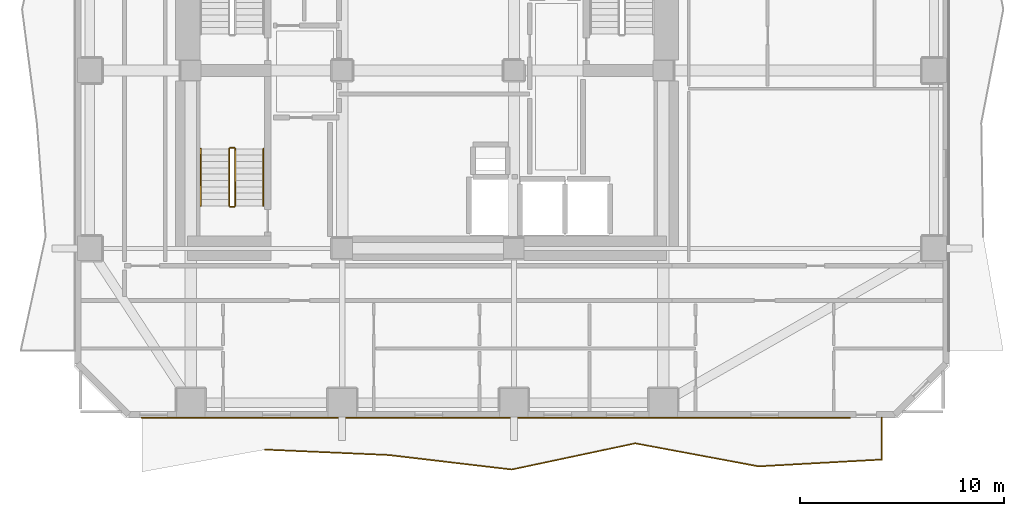
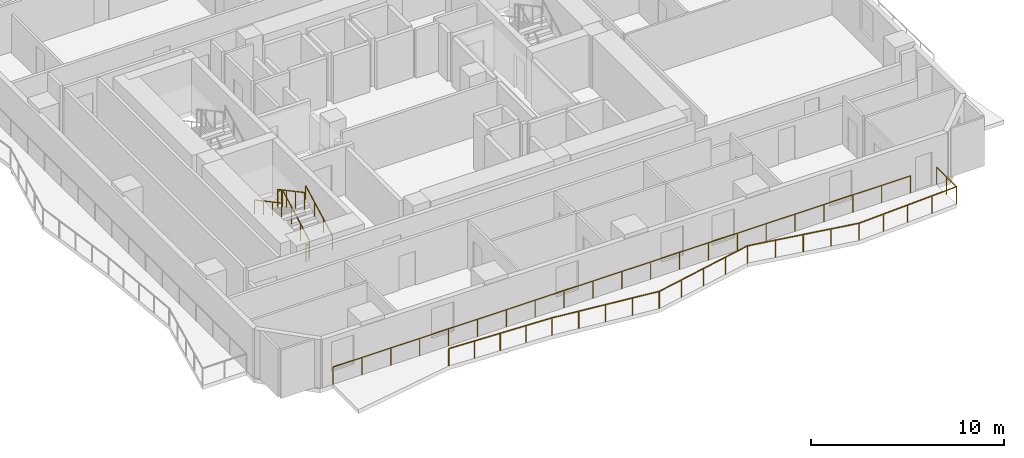
# One storey, part 8 of 11: 8 railings.
"""IFC4 building model written with IfcOpenShell, lengths in metres."""

from ifc_helpers import new_model, si_unit, direction, frame, origin, origin_2d, place, context, subcontext, project, spatial, rectangle, extrude, material, type_object, element, save


model = new_model("IFC4")

# Units and contexts
model_context = context("Model", 3, precision=1e-05, world=origin(), true_north=direction((0.0, 1.0)))
body_context = subcontext(model_context, "Body", "Model", "MODEL_VIEW")
ifc_project = project(units=[si_unit("LENGTHUNIT", "METRE"), si_unit("AREAUNIT", "SQUARE_METRE"), si_unit("VOLUMEUNIT", "CUBIC_METRE"), si_unit("PLANEANGLEUNIT", "RADIAN"), si_unit("MASSUNIT", "GRAM", prefix="KILO")], contexts=[model_context])

# Site, building, storey
site_placement = place(None, origin())
site = spatial("IfcSite", under=ifc_project, at=site_placement, CompositionType="ELEMENT")
building_placement = place(site_placement, origin())
building = spatial("IfcBuilding", under=site, at=building_placement, Name="Solanera Arch Residences", CompositionType="ELEMENT")
storey_placement = place(building_placement, frame((0.0, 0.0, 71.800048828125)))
storey = spatial("IfcBuildingStorey", under=building, at=storey_placement, Name="L20", CompositionType="ELEMENT", Elevation=71.800048828125)

# Railings
ifc_material_1 = material(Name="Steel S355 (ASTM A992 / A572 Grade 50)", Category="steel")
railing_type_1 = type_object("IfcRailingType", Name="Balustrade Railing BL-1100", PredefinedType="BALUSTRADE", material=ifc_material_1)
railing_1_placement = place(storey_placement, frame((17.032958984375, 12.154052734375, 0.0)))
element("IfcRailing", 1, at=railing_1_placement, inside=storey, type_object=railing_type_1, Name="L20 S Balcony Balustrade 1", PredefinedType="BALUSTRADE", context=body_context, shape_type="SweptSolid", body=[
    extrude(rectangle(XDim=0.048095703125, YDim=0.048095703125, at=origin_2d()), frame((0.0, 0.0, 1.09619140625), z_axis=(0.999035993244, -0.043898567213, 0.0), x_axis=(0.043898567213, 0.999035993244, 0.0)), (0.0, 0.0, 1.0), 6.039794921875),
    extrude(rectangle(XDim=0.048095703125, YDim=0.048095703125, at=origin_2d()), frame((6.033935546875, -0.26513671875, 1.09619140625), z_axis=(0.993165958324, -0.116710664575, 0.0), x_axis=(0.116710664575, 0.993165958324, 0.0)), (0.0, 0.0, 1.0), 6.07470703125),
    extrude(rectangle(XDim=0.048095703125, YDim=0.048095703125, at=origin_2d()), frame((12.067138671875, -0.97412109375, 1.09619140625), z_axis=(0.97819173664, 0.207703939223, 0.0), x_axis=(-0.207703939223, 0.97819173664, 0.0)), (0.0, 0.0, 1.0), 6.16748046875),
    extrude(rectangle(XDim=0.048095703125, YDim=0.048095703125, at=origin_2d()), frame((18.10009765625, 0.306884765625, 1.09619140625), z_axis=(0.983030769908, -0.183440740879, 0.0), x_axis=(0.183440740879, 0.983030769908, 0.0)), (0.0, 0.0, 1.0), 6.13818359375),
    extrude(rectangle(XDim=0.048095703125, YDim=0.048095703125, at=origin_2d()), frame((24.134033203125, -0.819091796875, 1.09619140625), z_axis=(0.998488939187, 0.054953055615, 0.0), x_axis=(-0.054953055615, 0.998488939187, 0.0)), (0.0, 0.0, 1.0), 6.0419921875),
    extrude(rectangle(XDim=0.048095703125, YDim=0.048095703125, at=origin_2d()), frame((30.1669921875, -0.487060546875, 1.09619140625), z_axis=(0.0, 1.0, 0.0), x_axis=(-1.0, 0.0, 0.0)), (0.0, 0.0, 1.0), 2.052978515625),
    extrude(rectangle(XDim=0.0419921875, YDim=0.0419921875, at=origin_2d()), origin(), (0.0, 0.0, 1.0), 1.072021484375),
    extrude(rectangle(XDim=0.0419921875, YDim=0.0419921875, at=origin_2d()), frame((1.508544921875, -0.06640625, 0.0)), (0.0, 0.0, 1.0), 1.072021484375),
    extrude(rectangle(XDim=0.0419921875, YDim=0.0419921875, at=origin_2d()), frame((3.01708984375, -0.132568359375, 0.0)), (0.0, 0.0, 1.0), 1.072021484375),
    extrude(rectangle(XDim=0.0419921875, YDim=0.0419921875, at=origin_2d()), frame((4.525390625, -0.19873046875, 0.0)), (0.0, 0.0, 1.0), 1.072021484375),
    extrude(rectangle(XDim=0.0419921875, YDim=0.0419921875, at=origin_2d()), frame((6.033935546875, -0.26513671875, 0.0)), (0.0, 0.0, 1.0), 1.072021484375),
    extrude(rectangle(XDim=0.0419921875, YDim=0.0419921875, at=origin_2d()), frame((7.542236328125, -0.4423828125, 0.0)), (0.0, 0.0, 1.0), 1.072021484375),
    extrude(rectangle(XDim=0.0419921875, YDim=0.0419921875, at=origin_2d()), frame((9.050537109375, -0.61962890625, 0.0)), (0.0, 0.0, 1.0), 1.072021484375),
    extrude(rectangle(XDim=0.0419921875, YDim=0.0419921875, at=origin_2d()), frame((10.558837890625, -0.796875, 0.0)), (0.0, 0.0, 1.0), 1.072021484375),
    extrude(rectangle(XDim=0.0419921875, YDim=0.0419921875, at=origin_2d()), frame((12.067138671875, -0.97412109375, 0.0)), (0.0, 0.0, 1.0), 1.072021484375),
    extrude(rectangle(XDim=0.0419921875, YDim=0.0419921875, at=origin_2d()), frame((13.575439453125, -0.65380859375, 0.0)), (0.0, 0.0, 1.0), 1.072021484375),
    extrude(rectangle(XDim=0.0419921875, YDim=0.0419921875, at=origin_2d()), frame((15.08349609375, -0.33349609375, 0.0)), (0.0, 0.0, 1.0), 1.072021484375),
    extrude(rectangle(XDim=0.0419921875, YDim=0.0419921875, at=origin_2d()), frame((16.591796875, -0.013427734375, 0.0)), (0.0, 0.0, 1.0), 1.072021484375),
    extrude(rectangle(XDim=0.0419921875, YDim=0.0419921875, at=origin_2d()), frame((18.10009765625, 0.306884765625, 0.0)), (0.0, 0.0, 1.0), 1.072021484375),
    extrude(rectangle(XDim=0.0419921875, YDim=0.0419921875, at=origin_2d()), frame((19.608642578125, 0.025390625, 0.0)), (0.0, 0.0, 1.0), 1.072021484375),
    extrude(rectangle(XDim=0.0419921875, YDim=0.0419921875, at=origin_2d()), frame((21.1171875, -0.256103515625, 0.0)), (0.0, 0.0, 1.0), 1.072021484375),
    extrude(rectangle(XDim=0.0419921875, YDim=0.0419921875, at=origin_2d()), frame((22.62548828125, -0.53759765625, 0.0)), (0.0, 0.0, 1.0), 1.072021484375),
    extrude(rectangle(XDim=0.0419921875, YDim=0.0419921875, at=origin_2d()), frame((24.134033203125, -0.819091796875, 0.0)), (0.0, 0.0, 1.0), 1.072021484375),
    extrude(rectangle(XDim=0.0419921875, YDim=0.0419921875, at=origin_2d()), frame((25.642333984375, -0.736083984375, 0.0)), (0.0, 0.0, 1.0), 1.072021484375),
    extrude(rectangle(XDim=0.0419921875, YDim=0.0419921875, at=origin_2d()), frame((27.150390625, -0.653076171875, 0.0)), (0.0, 0.0, 1.0), 1.072021484375),
    extrude(rectangle(XDim=0.0419921875, YDim=0.0419921875, at=origin_2d()), frame((28.65869140625, -0.570068359375, 0.0)), (0.0, 0.0, 1.0), 1.072021484375),
    extrude(rectangle(XDim=0.0419921875, YDim=0.0419921875, at=origin_2d()), frame((30.1669921875, -0.487060546875, 0.0)), (0.0, 0.0, 1.0), 1.072021484375),
    extrude(rectangle(XDim=0.0419921875, YDim=0.0419921875, at=origin_2d()), frame((30.1669921875, 0.53955078125, 0.0)), (0.0, 0.0, 1.0), 1.072021484375),
    extrude(rectangle(XDim=0.0419921875, YDim=0.0419921875, at=origin_2d()), frame((30.1669921875, 1.56591796875, 0.0)), (0.0, 0.0, 1.0), 1.072021484375),
])
railing_2_placement = place(storey_placement, frame((45.634033203125, 13.719970703125, 0.0)))
element("IfcRailing", 2, at=railing_2_placement, inside=storey, type_object=railing_type_1, Name="L20 S Balcony Balustrade 2", PredefinedType="BALUSTRADE", context=body_context, shape_type="SweptSolid", body=[
    extrude(rectangle(XDim=0.048095703125, YDim=0.048095703125, at=origin_2d()), frame((0.0, 0.0, 1.09619140625), z_axis=(-1.0, 0.0, 0.0), x_axis=(0.0, -1.0, 0.0)), (0.0, 0.0, 1.0), 34.634033203125),
    extrude(rectangle(XDim=0.0419921875, YDim=0.0419921875, at=origin_2d()), origin(), (0.0, 0.0, 1.0), 1.072021484375),
    extrude(rectangle(XDim=0.0419921875, YDim=0.0419921875, at=origin_2d()), frame((-1.731689453125, 0.0, 0.0)), (0.0, 0.0, 1.0), 1.072021484375),
    extrude(rectangle(XDim=0.0419921875, YDim=0.0419921875, at=origin_2d()), frame((-3.46337890625, 0.0, 0.0)), (0.0, 0.0, 1.0), 1.072021484375),
    extrude(rectangle(XDim=0.0419921875, YDim=0.0419921875, at=origin_2d()), frame((-5.195068359375, 0.0, 0.0)), (0.0, 0.0, 1.0), 1.072021484375),
    extrude(rectangle(XDim=0.0419921875, YDim=0.0419921875, at=origin_2d()), frame((-6.9267578125, 0.0, 0.0)), (0.0, 0.0, 1.0), 1.072021484375),
    extrude(rectangle(XDim=0.0419921875, YDim=0.0419921875, at=origin_2d()), frame((-8.658447265625, 0.0, 0.0)), (0.0, 0.0, 1.0), 1.072021484375),
    extrude(rectangle(XDim=0.0419921875, YDim=0.0419921875, at=origin_2d()), frame((-10.39013671875, 0.0, 0.0)), (0.0, 0.0, 1.0), 1.072021484375),
    extrude(rectangle(XDim=0.0419921875, YDim=0.0419921875, at=origin_2d()), frame((-12.121826171875, 0.0, 0.0)), (0.0, 0.0, 1.0), 1.072021484375),
    extrude(rectangle(XDim=0.0419921875, YDim=0.0419921875, at=origin_2d()), frame((-13.853515625, 0.0, 0.0)), (0.0, 0.0, 1.0), 1.072021484375),
    extrude(rectangle(XDim=0.0419921875, YDim=0.0419921875, at=origin_2d()), frame((-15.585205078125, 0.0, 0.0)), (0.0, 0.0, 1.0), 1.072021484375),
    extrude(rectangle(XDim=0.0419921875, YDim=0.0419921875, at=origin_2d()), frame((-17.31689453125, 0.0, 0.0)), (0.0, 0.0, 1.0), 1.072021484375),
    extrude(rectangle(XDim=0.0419921875, YDim=0.0419921875, at=origin_2d()), frame((-19.048828125, 0.0, 0.0)), (0.0, 0.0, 1.0), 1.072021484375),
    extrude(rectangle(XDim=0.0419921875, YDim=0.0419921875, at=origin_2d()), frame((-20.780517578125, 0.0, 0.0)), (0.0, 0.0, 1.0), 1.072021484375),
    extrude(rectangle(XDim=0.0419921875, YDim=0.0419921875, at=origin_2d()), frame((-22.51220703125, 0.0, 0.0)), (0.0, 0.0, 1.0), 1.072021484375),
    extrude(rectangle(XDim=0.0419921875, YDim=0.0419921875, at=origin_2d()), frame((-24.243896484375, 0.0, 0.0)), (0.0, 0.0, 1.0), 1.072021484375),
    extrude(rectangle(XDim=0.0419921875, YDim=0.0419921875, at=origin_2d()), frame((-25.9755859375, 0.0, 0.0)), (0.0, 0.0, 1.0), 1.072021484375),
    extrude(rectangle(XDim=0.0419921875, YDim=0.0419921875, at=origin_2d()), frame((-27.707275390625, 0.0, 0.0)), (0.0, 0.0, 1.0), 1.072021484375),
    extrude(rectangle(XDim=0.0419921875, YDim=0.0419921875, at=origin_2d()), frame((-29.43896484375, 0.0, 0.0)), (0.0, 0.0, 1.0), 1.072021484375),
    extrude(rectangle(XDim=0.0419921875, YDim=0.0419921875, at=origin_2d()), frame((-31.170654296875, 0.0, 0.0)), (0.0, 0.0, 1.0), 1.072021484375),
    extrude(rectangle(XDim=0.0419921875, YDim=0.0419921875, at=origin_2d()), frame((-32.90234375, 0.0, 0.0)), (0.0, 0.0, 1.0), 1.072021484375),
    extrude(rectangle(XDim=0.0419921875, YDim=0.0419921875, at=origin_2d()), frame((-34.634033203125, 0.0, 0.0)), (0.0, 0.0, 1.0), 1.072021484375),
])
ifc_material_2 = material(Name="Steel S355 (ASTM A992 / A572 Grade 50)", Category="steel")
railing_type_2 = type_object("IfcRailingType", Name="Stair Guardrail GR-1100", PredefinedType="GUARDRAIL", material=ifc_material_2)
railing_3_placement = place(storey_placement, frame((15.570068359375, 24.080078125, 0.15087890625)))
element("IfcRailing", 3, at=railing_3_placement, inside=storey, type_object=railing_type_2, Name="L20 ST-T3 stair guard 1", PredefinedType="GUARDRAIL", context=body_context, shape_type="SweptSolid", body=[
    extrude(rectangle(XDim=0.048095703125, YDim=0.048095703125, at=origin_2d()), frame((0.0, 0.0, 1.076171875), z_axis=(0.0, 0.881548766853, 0.472092969298), x_axis=(-1.0, 0.0, 0.0)), (0.0, 0.0, 1.0), 3.1650390625),
    extrude(rectangle(XDim=0.0419921875, YDim=0.0419921875, at=origin_2d()), origin(), (0.0, 0.0, 1.0), 1.052001953125),
    extrude(rectangle(XDim=0.0419921875, YDim=0.0419921875, at=origin_2d()), frame((0.0, 0.929931640625, 0.498046875)), (0.0, 0.0, 1.0), 1.052001953125),
    extrude(rectangle(XDim=0.0419921875, YDim=0.0419921875, at=origin_2d()), frame((0.0, 1.860107421875, 0.99609375)), (0.0, 0.0, 1.0), 1.052001953125),
    extrude(rectangle(XDim=0.0419921875, YDim=0.0419921875, at=origin_2d()), frame((0.0, 2.7900390625, 1.494140625)), (0.0, 0.0, 1.0), 1.052001953125),
])
railing_4_placement = place(storey_placement, frame((15.52001953125, 26.919921875, 1.64501953125)))
element("IfcRailing", 4, at=railing_4_placement, inside=storey, type_object=railing_type_2, Name="L20 ST-T3 stair guard 2", PredefinedType="GUARDRAIL", context=body_context, shape_type="SweptSolid", body=[
    extrude(rectangle(XDim=0.048095703125, YDim=0.048095703125, at=origin_2d()), frame((0.0, 0.0, 1.076171875), z_axis=(-1.0, 0.0, 0.0), x_axis=(0.0, -1.0, 0.0)), (0.0, 0.0, 1.0), 0.199951171875),
    extrude(rectangle(XDim=0.0419921875, YDim=0.0419921875, at=origin_2d()), origin(), (0.0, 0.0, 1.0), 1.052001953125),
    extrude(rectangle(XDim=0.0419921875, YDim=0.0419921875, at=origin_2d()), frame((-0.199951171875, 0.0, 0.0)), (0.0, 0.0, 1.0), 1.052001953125),
])
railing_5_placement = place(storey_placement, frame((15.27001953125, 26.8701171875, 1.81103515625)))
element("IfcRailing", 5, at=railing_5_placement, inside=storey, type_object=railing_type_2, Name="L20 ST-T3 stair guard 3", PredefinedType="GUARDRAIL", context=body_context, shape_type="SweptSolid", body=[
    extrude(rectangle(XDim=0.048095703125, YDim=0.048095703125, at=origin_2d()), frame((0.0, 0.0, 1.076171875), z_axis=(0.0, -0.881580869306, 0.472033018838), x_axis=(1.0, 0.0, 0.0)), (0.0, 0.0, 1.0), 3.164794921875),
    extrude(rectangle(XDim=0.0419921875, YDim=0.0419921875, at=origin_2d()), origin(), (0.0, 0.0, 1.0), 1.052001953125),
    extrude(rectangle(XDim=0.0419921875, YDim=0.0419921875, at=origin_2d()), frame((0.0, -0.929931640625, 0.498046875)), (0.0, 0.0, 1.0), 1.052001953125),
    extrude(rectangle(XDim=0.0419921875, YDim=0.0419921875, at=origin_2d()), frame((0.0, -1.860107421875, 0.995849609375)), (0.0, 0.0, 1.0), 1.052001953125),
    extrude(rectangle(XDim=0.0419921875, YDim=0.0419921875, at=origin_2d()), frame((0.0, -2.7900390625, 1.493896484375)), (0.0, 0.0, 1.0), 1.052001953125),
])
railing_6_placement = place(storey_placement, frame((15.52001953125, 24.030029296875, -0.01513671875)))
element("IfcRailing", 6, at=railing_6_placement, inside=storey, type_object=railing_type_2, Name="L20 ST-T3 stair guard 4", PredefinedType="GUARDRAIL", context=body_context, shape_type="SweptSolid", body=[
    extrude(rectangle(XDim=0.048095703125, YDim=0.048095703125, at=origin_2d()), frame((0.0, 0.0, 1.076171875), z_axis=(-1.0, 0.0, 0.0), x_axis=(0.0, -1.0, 0.0)), (0.0, 0.0, 1.0), 0.199951171875),
    extrude(rectangle(XDim=0.0419921875, YDim=0.0419921875, at=origin_2d()), origin(), (0.0, 0.0, 1.0), 1.052001953125),
    extrude(rectangle(XDim=0.0419921875, YDim=0.0419921875, at=origin_2d()), frame((-0.199951171875, 0.0, 0.0)), (0.0, 0.0, 1.0), 1.052001953125),
])
ifc_material_3 = material(Name="Steel S355 (ASTM A992 / A572 Grade 50)", Category="steel")
railing_type_3 = type_object("IfcRailingType", Name="Stair Wall Handrail HR-920", PredefinedType="HANDRAIL", material=ifc_material_3)
railing_7_placement = place(storey_placement, frame((16.949951171875, 24.080078125, 0.166015625)))
element("IfcRailing", 7, at=railing_7_placement, inside=storey, type_object=railing_type_3, Name="L20 ST-T3 stair handrail 1", PredefinedType="HANDRAIL", context=body_context, shape_type="SweptSolid", body=[
    extrude(rectangle(XDim=0.048095703125, YDim=0.048095703125, at=origin_2d()), frame((0.0, 0.0, 0.8759765625), z_axis=(0.0, 0.881580869306, 0.472033018838), x_axis=(-1.0, 0.0, 0.0)), (0.0, 0.0, 1.0), 3.164794921875),
    extrude(rectangle(XDim=0.0419921875, YDim=0.0419921875, at=origin_2d()), origin(), (0.0, 0.0, 1.0), 0.851806640625),
    extrude(rectangle(XDim=0.0419921875, YDim=0.0419921875, at=origin_2d()), frame((0.0, 0.929931640625, 0.498046875)), (0.0, 0.0, 1.0), 0.851806640625),
    extrude(rectangle(XDim=0.0419921875, YDim=0.0419921875, at=origin_2d()), frame((0.0, 1.860107421875, 0.995849609375)), (0.0, 0.0, 1.0), 0.851806640625),
    extrude(rectangle(XDim=0.0419921875, YDim=0.0419921875, at=origin_2d()), frame((0.0, 2.7900390625, 1.493896484375)), (0.0, 0.0, 1.0), 0.851806640625),
])
railing_8_placement = place(storey_placement, frame((13.889892578125, 26.8701171875, 1.825927734375)))
element("IfcRailing", 8, at=railing_8_placement, inside=storey, type_object=railing_type_3, Name="L20 ST-T3 stair handrail 2", PredefinedType="HANDRAIL", context=body_context, shape_type="SweptSolid", body=[
    extrude(rectangle(XDim=0.048095703125, YDim=0.048095703125, at=origin_2d()), frame((0.0, 0.0, 0.8759765625), z_axis=(0.0, -0.881548766853, 0.472092969298), x_axis=(1.0, 0.0, 0.0)), (0.0, 0.0, 1.0), 3.1650390625),
    extrude(rectangle(XDim=0.0419921875, YDim=0.0419921875, at=origin_2d()), origin(), (0.0, 0.0, 1.0), 0.851806640625),
    extrude(rectangle(XDim=0.0419921875, YDim=0.0419921875, at=origin_2d()), frame((0.0, -0.929931640625, 0.498046875)), (0.0, 0.0, 1.0), 0.851806640625),
    extrude(rectangle(XDim=0.0419921875, YDim=0.0419921875, at=origin_2d()), frame((0.0, -1.860107421875, 0.99609375)), (0.0, 0.0, 1.0), 0.851806640625),
    extrude(rectangle(XDim=0.0419921875, YDim=0.0419921875, at=origin_2d()), frame((0.0, -2.7900390625, 1.494140625)), (0.0, 0.0, 1.0), 0.851806640625),
])

save(model, "model.ifc")
